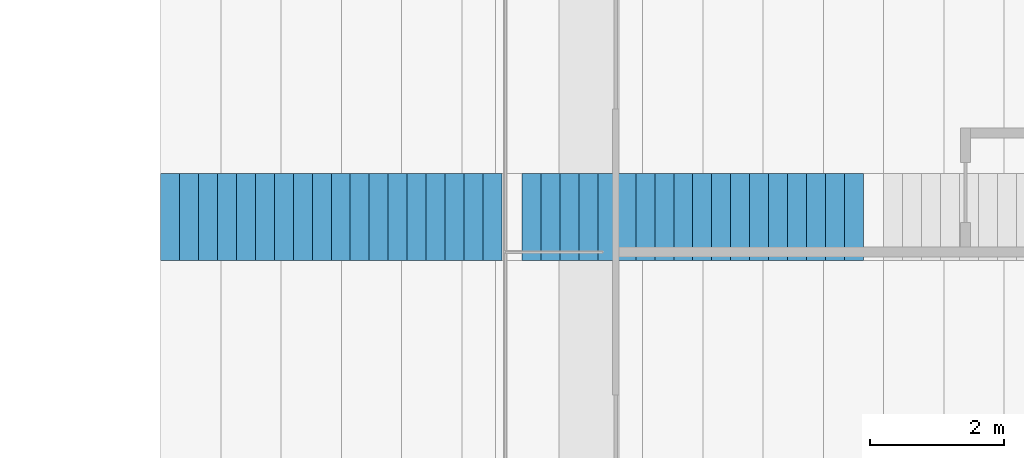
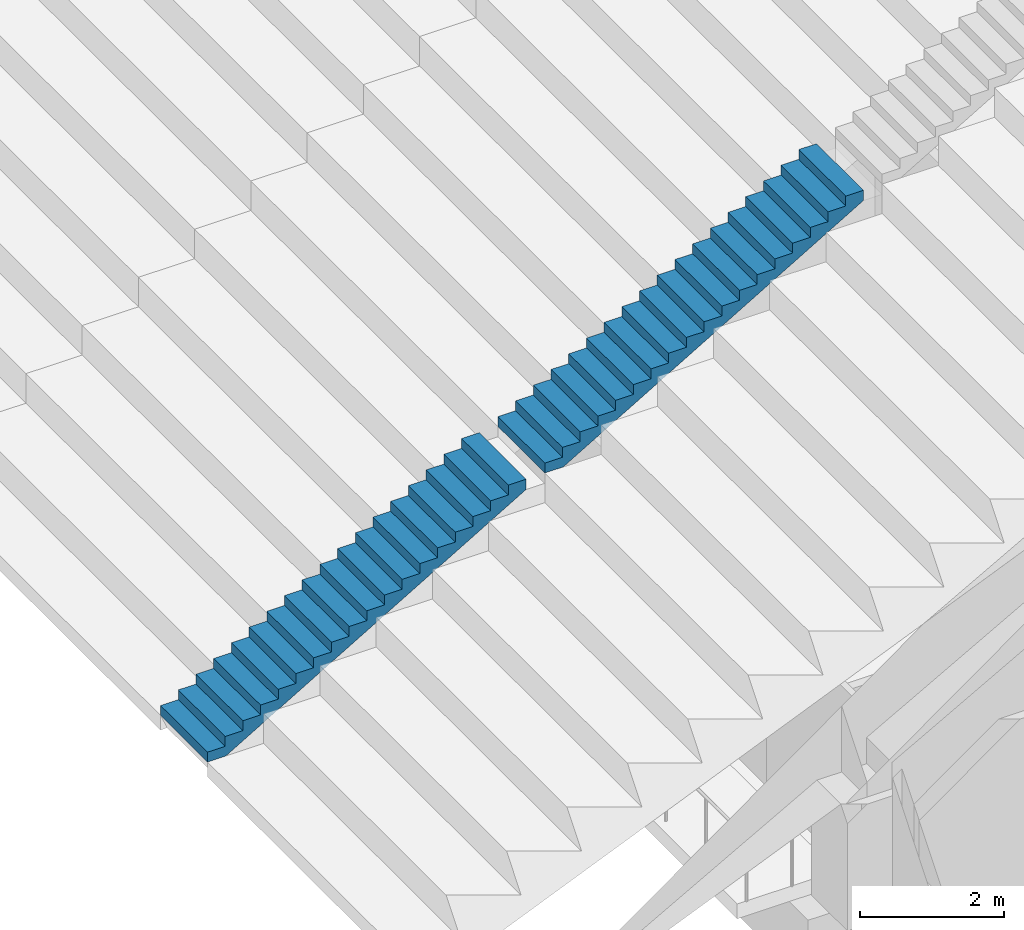
# One storey, part 184 of 249: 2 stair flights, 1 element without a shape of its own.
"""IFC4 building model written with IfcOpenShell, lengths in metres."""

from ifc_helpers import new_model, si_unit, direction, frame, origin, place, context, subcontext, project, spatial, faceted_brep, material, type_object, element, aggregate, save


model = new_model("IFC4")

# Units and contexts
model_context = context("Model", 3, precision=1e-05, world=origin(), true_north=direction((0.0, 1.0)))
body_context = subcontext(model_context, "Body", "Model", "MODEL_VIEW")
ifc_project = project(units=[si_unit("LENGTHUNIT", "METRE"), si_unit("AREAUNIT", "SQUARE_METRE"), si_unit("VOLUMEUNIT", "CUBIC_METRE"), si_unit("PLANEANGLEUNIT", "RADIAN"), si_unit("MASSUNIT", "GRAM", prefix="KILO")], contexts=[model_context])

# Site, building, storey
site_placement = place(None, origin())
site = spatial("IfcSite", under=ifc_project, at=site_placement, CompositionType="ELEMENT")
building_placement = place(site_placement, origin())
building = spatial("IfcBuilding", under=site, at=building_placement, Name="Ogive Plaza Stadium", CompositionType="ELEMENT")
storey_placement = place(building_placement, frame((0.0, 0.0, 13.5)))
storey = spatial("IfcBuildingStorey", under=building, at=storey_placement, Name="L03", CompositionType="ELEMENT", Elevation=13.5)

# Stair, stair flights
ifc_material_1 = material(Name="Concrete C40/50", Category="concrete")
stair_type = type_object("IfcStairType", Name="Aisle stair", PredefinedType="STRAIGHT_RUN_STAIR", material=ifc_material_1)
stair_placement = place(storey_placement, origin())
stair = element("IfcStair", 1, at=stair_placement, inside=storey, type_object=stair_type, Name="Aisle stair SA03U", PredefinedType="STRAIGHT_RUN_STAIR")
ifc_material_2 = material(Name="Concrete C40/50", Category="concrete")
stair_flight_type = type_object("IfcStairFlightType", Name="Aisle stair flight", PredefinedType="STRAIGHT", material=ifc_material_2)
stair_flight_1_placement = place(storey_placement, frame((55.5, 15.0, 0.5), z_axis=(0.0, 0.0, 1.0), x_axis=(1.0, 0.0, 0.0)))
stair_flight_1 = element("IfcStairFlight", 2, at=stair_flight_1_placement, type_object=stair_flight_type, Name="SA03U flight 1", NumberOfRisers=18, NumberOfTreads=17, PredefinedType="STRAIGHT", RiserHeight=0.166666667, TreadLength=0.283333333, context=body_context, shape_type="Brep", body=[
    faceted_brep([(0.295654296875, -0.64990234375, 0.0), (5.10009765625, -0.64990234375, 2.826171875), (5.10009765625, -0.64990234375, 3.0), (4.816650390625, -0.64990234375, 3.0), (4.816650390625, -0.64990234375, 2.833251953125), (4.533447265625, -0.64990234375, 2.833251953125), (4.533447265625, -0.64990234375, 2.666748046875), (4.25, -0.64990234375, 2.666748046875), (4.25, -0.64990234375, 2.5), (3.966552734375, -0.64990234375, 2.5), (3.966552734375, -0.64990234375, 2.333251953125), (3.683349609375, -0.64990234375, 2.333251953125), (3.683349609375, -0.64990234375, 2.166748046875), (3.39990234375, -0.64990234375, 2.166748046875), (3.39990234375, -0.64990234375, 2.0), (3.11669921875, -0.64990234375, 2.0), (3.11669921875, -0.64990234375, 1.833251953125), (2.833251953125, -0.64990234375, 1.833251953125), (2.833251953125, -0.64990234375, 1.666748046875), (2.550048828125, -0.64990234375, 1.666748046875), (2.550048828125, -0.64990234375, 1.5), (2.2666015625, -0.64990234375, 1.5), (2.2666015625, -0.64990234375, 1.333251953125), (1.9833984375, -0.64990234375, 1.333251953125), (1.9833984375, -0.64990234375, 1.166748046875), (1.699951171875, -0.64990234375, 1.166748046875), (1.699951171875, -0.64990234375, 1.0), (1.416748046875, -0.64990234375, 1.0), (1.416748046875, -0.64990234375, 0.833251953125), (1.13330078125, -0.64990234375, 0.833251953125), (1.13330078125, -0.64990234375, 0.666748046875), (0.85009765625, -0.64990234375, 0.666748046875), (0.85009765625, -0.64990234375, 0.5), (0.566650390625, -0.64990234375, 0.5), (0.566650390625, -0.64990234375, 0.333251953125), (0.283447265625, -0.64990234375, 0.333251953125), (0.283447265625, -0.64990234375, 0.166748046875), (0.0, -0.64990234375, 0.166748046875), (0.0, -0.64990234375, 0.0), (0.0, 0.64990234375, 0.0), (0.0, 0.64990234375, 0.166748046875), (0.283447265625, 0.64990234375, 0.166748046875), (0.283447265625, 0.64990234375, 0.333251953125), (0.566650390625, 0.64990234375, 0.333251953125), (0.566650390625, 0.64990234375, 0.5), (0.85009765625, 0.64990234375, 0.5), (0.85009765625, 0.64990234375, 0.666748046875), (1.13330078125, 0.64990234375, 0.666748046875), (1.13330078125, 0.64990234375, 0.833251953125), (1.416748046875, 0.64990234375, 0.833251953125), (1.416748046875, 0.64990234375, 1.0), (1.699951171875, 0.64990234375, 1.0), (1.699951171875, 0.64990234375, 1.166748046875), (1.9833984375, 0.64990234375, 1.166748046875), (1.9833984375, 0.64990234375, 1.333251953125), (2.2666015625, 0.64990234375, 1.333251953125), (2.2666015625, 0.64990234375, 1.5), (2.550048828125, 0.64990234375, 1.5), (2.550048828125, 0.64990234375, 1.666748046875), (2.833251953125, 0.64990234375, 1.666748046875), (2.833251953125, 0.64990234375, 1.833251953125), (3.11669921875, 0.64990234375, 1.833251953125), (3.11669921875, 0.64990234375, 2.0), (3.39990234375, 0.64990234375, 2.0), (3.39990234375, 0.64990234375, 2.166748046875), (3.683349609375, 0.64990234375, 2.166748046875), (3.683349609375, 0.64990234375, 2.333251953125), (3.966552734375, 0.64990234375, 2.333251953125), (3.966552734375, 0.64990234375, 2.5), (4.25, 0.64990234375, 2.5), (4.25, 0.64990234375, 2.666748046875), (4.533447265625, 0.64990234375, 2.666748046875), (4.533447265625, 0.64990234375, 2.833251953125), (4.816650390625, 0.64990234375, 2.833251953125), (4.816650390625, 0.64990234375, 3.0), (5.10009765625, 0.64990234375, 3.0), (5.10009765625, 0.64990234375, 2.826171875), (0.295654296875, 0.64990234375, 0.0), (0.295654296875, -0.324951171875, 0.0), (5.10009765625, -0.324951171875, 2.826171875), (0.295654296875, 0.0, 0.0), (5.10009765625, 0.0, 2.826171875), (0.295654296875, 0.324951171875, 0.0), (5.10009765625, 0.324951171875, 2.826171875), (5.10009765625, -0.324951171875, 3.0), (5.10009765625, 0.0, 3.0), (5.10009765625, 0.324951171875, 3.0), (4.816650390625, -0.324951171875, 3.0), (4.816650390625, 0.0, 3.0), (4.816650390625, 0.324951171875, 3.0), (4.816650390625, -0.324951171875, 2.833251953125), (4.816650390625, 0.0, 2.833251953125), (4.816650390625, 0.324951171875, 2.833251953125), (4.533447265625, -0.324951171875, 2.833251953125), (4.533447265625, 0.0, 2.833251953125), (4.533447265625, 0.324951171875, 2.833251953125), (4.533447265625, -0.324951171875, 2.666748046875), (4.533447265625, 0.0, 2.666748046875), (4.533447265625, 0.324951171875, 2.666748046875), (4.25, -0.324951171875, 2.666748046875), (4.25, 0.0, 2.666748046875), (4.25, 0.324951171875, 2.666748046875), (4.25, -0.324951171875, 2.5), (4.25, 0.0, 2.5), (4.25, 0.324951171875, 2.5), (3.966552734375, -0.324951171875, 2.5), (3.966552734375, 0.0, 2.5), (3.966552734375, 0.324951171875, 2.5), (3.966552734375, -0.324951171875, 2.333251953125), (3.966552734375, 0.0, 2.333251953125), (3.966552734375, 0.324951171875, 2.333251953125), (3.683349609375, -0.324951171875, 2.333251953125), (3.683349609375, 0.0, 2.333251953125), (3.683349609375, 0.324951171875, 2.333251953125), (3.683349609375, -0.324951171875, 2.166748046875), (3.683349609375, 0.0, 2.166748046875), (3.683349609375, 0.324951171875, 2.166748046875), (3.39990234375, -0.324951171875, 2.166748046875), (3.39990234375, 0.0, 2.166748046875), (3.39990234375, 0.324951171875, 2.166748046875), (3.39990234375, -0.324951171875, 2.0), (3.39990234375, 0.0, 2.0), (3.39990234375, 0.324951171875, 2.0), (3.11669921875, -0.324951171875, 2.0), (3.11669921875, 0.0, 2.0), (3.11669921875, 0.324951171875, 2.0), (3.11669921875, -0.324951171875, 1.833251953125), (3.11669921875, 0.0, 1.833251953125), (3.11669921875, 0.324951171875, 1.833251953125), (2.833251953125, -0.324951171875, 1.833251953125), (2.833251953125, 0.0, 1.833251953125), (2.833251953125, 0.324951171875, 1.833251953125), (2.833251953125, -0.324951171875, 1.666748046875), (2.833251953125, 0.0, 1.666748046875), (2.833251953125, 0.324951171875, 1.666748046875), (2.550048828125, -0.324951171875, 1.666748046875), (2.550048828125, 0.0, 1.666748046875), (2.550048828125, 0.324951171875, 1.666748046875), (2.550048828125, -0.324951171875, 1.5), (2.550048828125, 0.0, 1.5), (2.550048828125, 0.324951171875, 1.5), (2.2666015625, -0.324951171875, 1.5), (2.2666015625, 0.0, 1.5), (2.2666015625, 0.324951171875, 1.5), (2.2666015625, -0.324951171875, 1.333251953125), (2.2666015625, 0.0, 1.333251953125), (2.2666015625, 0.324951171875, 1.333251953125), (1.9833984375, -0.324951171875, 1.333251953125), (1.9833984375, 0.0, 1.333251953125), (1.9833984375, 0.324951171875, 1.333251953125), (1.9833984375, -0.324951171875, 1.166748046875), (1.9833984375, 0.0, 1.166748046875), (1.9833984375, 0.324951171875, 1.166748046875), (1.699951171875, -0.324951171875, 1.166748046875), (1.699951171875, 0.0, 1.166748046875), (1.699951171875, 0.324951171875, 1.166748046875), (1.699951171875, -0.324951171875, 1.0), (1.699951171875, 0.0, 1.0), (1.699951171875, 0.324951171875, 1.0), (1.416748046875, -0.324951171875, 1.0), (1.416748046875, 0.0, 1.0), (1.416748046875, 0.324951171875, 1.0), (1.416748046875, -0.324951171875, 0.833251953125), (1.416748046875, 0.0, 0.833251953125), (1.416748046875, 0.324951171875, 0.833251953125), (1.13330078125, -0.324951171875, 0.833251953125), (1.13330078125, 0.0, 0.833251953125), (1.13330078125, 0.324951171875, 0.833251953125), (1.13330078125, -0.324951171875, 0.666748046875), (1.13330078125, 0.0, 0.666748046875), (1.13330078125, 0.324951171875, 0.666748046875), (0.85009765625, -0.324951171875, 0.666748046875), (0.85009765625, 0.0, 0.666748046875), (0.85009765625, 0.324951171875, 0.666748046875), (0.85009765625, -0.324951171875, 0.5), (0.85009765625, 0.0, 0.5), (0.85009765625, 0.324951171875, 0.5), (0.566650390625, -0.324951171875, 0.5), (0.566650390625, 0.0, 0.5), (0.566650390625, 0.324951171875, 0.5), (0.566650390625, -0.324951171875, 0.333251953125), (0.566650390625, 0.0, 0.333251953125), (0.566650390625, 0.324951171875, 0.333251953125), (0.283447265625, -0.324951171875, 0.333251953125), (0.283447265625, 0.0, 0.333251953125), (0.283447265625, 0.324951171875, 0.333251953125), (0.283447265625, -0.324951171875, 0.166748046875), (0.283447265625, 0.0, 0.166748046875), (0.283447265625, 0.324951171875, 0.166748046875), (0.0, -0.324951171875, 0.166748046875), (0.0, 0.0, 0.166748046875), (0.0, 0.324951171875, 0.166748046875), (0.0, -0.324951171875, 0.0), (0.0, 0.0, 0.0), (0.0, 0.324951171875, 0.0)], [[[0, 1, 2, 3, 4, 5, 6, 7, 8, 9, 10, 11, 12, 13, 14, 15, 16, 17, 18, 19, 20, 21, 22, 23, 24, 25, 26, 27, 28, 29, 30, 31, 32, 33, 34, 35, 36, 37, 38]], [[39, 40, 41, 42, 43, 44, 45, 46, 47, 48, 49, 50, 51, 52, 53, 54, 55, 56, 57, 58, 59, 60, 61, 62, 63, 64, 65, 66, 67, 68, 69, 70, 71, 72, 73, 74, 75, 76, 77]], [[0, 78, 79, 1]], [[78, 80, 81, 79]], [[80, 82, 83, 81]], [[82, 77, 76, 83]], [[1, 79, 84, 2]], [[79, 81, 85, 84]], [[81, 83, 86, 85]], [[83, 76, 75, 86]], [[2, 84, 87, 3]], [[84, 85, 88, 87]], [[85, 86, 89, 88]], [[86, 75, 74, 89]], [[3, 87, 90, 4]], [[87, 88, 91, 90]], [[88, 89, 92, 91]], [[89, 74, 73, 92]], [[4, 90, 93, 5]], [[90, 91, 94, 93]], [[91, 92, 95, 94]], [[92, 73, 72, 95]], [[5, 93, 96, 6]], [[93, 94, 97, 96]], [[94, 95, 98, 97]], [[95, 72, 71, 98]], [[6, 96, 99, 7]], [[96, 97, 100, 99]], [[97, 98, 101, 100]], [[98, 71, 70, 101]], [[7, 99, 102, 8]], [[99, 100, 103, 102]], [[100, 101, 104, 103]], [[101, 70, 69, 104]], [[8, 102, 105, 9]], [[102, 103, 106, 105]], [[103, 104, 107, 106]], [[104, 69, 68, 107]], [[9, 105, 108, 10]], [[105, 106, 109, 108]], [[106, 107, 110, 109]], [[107, 68, 67, 110]], [[10, 108, 111, 11]], [[108, 109, 112, 111]], [[109, 110, 113, 112]], [[110, 67, 66, 113]], [[11, 111, 114, 12]], [[111, 112, 115, 114]], [[112, 113, 116, 115]], [[113, 66, 65, 116]], [[12, 114, 117, 13]], [[114, 115, 118, 117]], [[115, 116, 119, 118]], [[116, 65, 64, 119]], [[13, 117, 120, 14]], [[117, 118, 121, 120]], [[118, 119, 122, 121]], [[119, 64, 63, 122]], [[14, 120, 123, 15]], [[120, 121, 124, 123]], [[121, 122, 125, 124]], [[122, 63, 62, 125]], [[15, 123, 126, 16]], [[123, 124, 127, 126]], [[124, 125, 128, 127]], [[125, 62, 61, 128]], [[16, 126, 129, 17]], [[126, 127, 130, 129]], [[127, 128, 131, 130]], [[128, 61, 60, 131]], [[17, 129, 132, 18]], [[129, 130, 133, 132]], [[130, 131, 134, 133]], [[131, 60, 59, 134]], [[18, 132, 135, 19]], [[132, 133, 136, 135]], [[133, 134, 137, 136]], [[134, 59, 58, 137]], [[19, 135, 138, 20]], [[135, 136, 139, 138]], [[136, 137, 140, 139]], [[137, 58, 57, 140]], [[20, 138, 141, 21]], [[138, 139, 142, 141]], [[139, 140, 143, 142]], [[140, 57, 56, 143]], [[21, 141, 144, 22]], [[141, 142, 145, 144]], [[142, 143, 146, 145]], [[143, 56, 55, 146]], [[22, 144, 147, 23]], [[144, 145, 148, 147]], [[145, 146, 149, 148]], [[146, 55, 54, 149]], [[23, 147, 150, 24]], [[147, 148, 151, 150]], [[148, 149, 152, 151]], [[149, 54, 53, 152]], [[24, 150, 153, 25]], [[150, 151, 154, 153]], [[151, 152, 155, 154]], [[152, 53, 52, 155]], [[25, 153, 156, 26]], [[153, 154, 157, 156]], [[154, 155, 158, 157]], [[155, 52, 51, 158]], [[26, 156, 159, 27]], [[156, 157, 160, 159]], [[157, 158, 161, 160]], [[158, 51, 50, 161]], [[27, 159, 162, 28]], [[159, 160, 163, 162]], [[160, 161, 164, 163]], [[161, 50, 49, 164]], [[28, 162, 165, 29]], [[162, 163, 166, 165]], [[163, 164, 167, 166]], [[164, 49, 48, 167]], [[29, 165, 168, 30]], [[165, 166, 169, 168]], [[166, 167, 170, 169]], [[167, 48, 47, 170]], [[30, 168, 171, 31]], [[168, 169, 172, 171]], [[169, 170, 173, 172]], [[170, 47, 46, 173]], [[31, 171, 174, 32]], [[171, 172, 175, 174]], [[172, 173, 176, 175]], [[173, 46, 45, 176]], [[32, 174, 177, 33]], [[174, 175, 178, 177]], [[175, 176, 179, 178]], [[176, 45, 44, 179]], [[33, 177, 180, 34]], [[177, 178, 181, 180]], [[178, 179, 182, 181]], [[179, 44, 43, 182]], [[34, 180, 183, 35]], [[180, 181, 184, 183]], [[181, 182, 185, 184]], [[182, 43, 42, 185]], [[35, 183, 186, 36]], [[183, 184, 187, 186]], [[184, 185, 188, 187]], [[185, 42, 41, 188]], [[36, 186, 189, 37]], [[186, 187, 190, 189]], [[187, 188, 191, 190]], [[188, 41, 40, 191]], [[37, 189, 192, 38]], [[189, 190, 193, 192]], [[190, 191, 194, 193]], [[191, 40, 39, 194]], [[38, 192, 78, 0]], [[192, 193, 80, 78]], [[193, 194, 82, 80]], [[194, 39, 77, 82]]]),
])
stair_flight_2_placement = place(storey_placement, frame((60.89990234375, 15.0, 3.5), z_axis=(0.0, 0.0, 1.0), x_axis=(1.0, 0.0, 0.0)))
stair_flight_2 = element("IfcStairFlight", 3, at=stair_flight_2_placement, type_object=stair_flight_type, Name="SA03U flight 2", NumberOfRisers=18, NumberOfTreads=17, PredefinedType="STRAIGHT", RiserHeight=0.166666667, TreadLength=0.283333333, context=body_context, shape_type="Brep", body=[
    faceted_brep([(0.295654296875, -0.64990234375, 0.0), (5.10009765625, -0.64990234375, 2.826171875), (5.10009765625, -0.64990234375, 3.0), (4.816650390625, -0.64990234375, 3.0), (4.816650390625, -0.64990234375, 2.833251953125), (4.533447265625, -0.64990234375, 2.833251953125), (4.533447265625, -0.64990234375, 2.666748046875), (4.25, -0.64990234375, 2.666748046875), (4.25, -0.64990234375, 2.5), (3.966552734375, -0.64990234375, 2.5), (3.966552734375, -0.64990234375, 2.333251953125), (3.683349609375, -0.64990234375, 2.333251953125), (3.683349609375, -0.64990234375, 2.166748046875), (3.39990234375, -0.64990234375, 2.166748046875), (3.39990234375, -0.64990234375, 2.0), (3.11669921875, -0.64990234375, 2.0), (3.11669921875, -0.64990234375, 1.833251953125), (2.833251953125, -0.64990234375, 1.833251953125), (2.833251953125, -0.64990234375, 1.666748046875), (2.550048828125, -0.64990234375, 1.666748046875), (2.550048828125, -0.64990234375, 1.5), (2.2666015625, -0.64990234375, 1.5), (2.2666015625, -0.64990234375, 1.333251953125), (1.9833984375, -0.64990234375, 1.333251953125), (1.9833984375, -0.64990234375, 1.166748046875), (1.699951171875, -0.64990234375, 1.166748046875), (1.699951171875, -0.64990234375, 1.0), (1.416748046875, -0.64990234375, 1.0), (1.416748046875, -0.64990234375, 0.833251953125), (1.13330078125, -0.64990234375, 0.833251953125), (1.13330078125, -0.64990234375, 0.666748046875), (0.85009765625, -0.64990234375, 0.666748046875), (0.85009765625, -0.64990234375, 0.5), (0.566650390625, -0.64990234375, 0.5), (0.566650390625, -0.64990234375, 0.333251953125), (0.283447265625, -0.64990234375, 0.333251953125), (0.283447265625, -0.64990234375, 0.166748046875), (0.0, -0.64990234375, 0.166748046875), (0.0, -0.64990234375, 0.0), (0.0, 0.64990234375, 0.0), (0.0, 0.64990234375, 0.166748046875), (0.283447265625, 0.64990234375, 0.166748046875), (0.283447265625, 0.64990234375, 0.333251953125), (0.566650390625, 0.64990234375, 0.333251953125), (0.566650390625, 0.64990234375, 0.5), (0.85009765625, 0.64990234375, 0.5), (0.85009765625, 0.64990234375, 0.666748046875), (1.13330078125, 0.64990234375, 0.666748046875), (1.13330078125, 0.64990234375, 0.833251953125), (1.416748046875, 0.64990234375, 0.833251953125), (1.416748046875, 0.64990234375, 1.0), (1.699951171875, 0.64990234375, 1.0), (1.699951171875, 0.64990234375, 1.166748046875), (1.9833984375, 0.64990234375, 1.166748046875), (1.9833984375, 0.64990234375, 1.333251953125), (2.2666015625, 0.64990234375, 1.333251953125), (2.2666015625, 0.64990234375, 1.5), (2.550048828125, 0.64990234375, 1.5), (2.550048828125, 0.64990234375, 1.666748046875), (2.833251953125, 0.64990234375, 1.666748046875), (2.833251953125, 0.64990234375, 1.833251953125), (3.11669921875, 0.64990234375, 1.833251953125), (3.11669921875, 0.64990234375, 2.0), (3.39990234375, 0.64990234375, 2.0), (3.39990234375, 0.64990234375, 2.166748046875), (3.683349609375, 0.64990234375, 2.166748046875), (3.683349609375, 0.64990234375, 2.333251953125), (3.966552734375, 0.64990234375, 2.333251953125), (3.966552734375, 0.64990234375, 2.5), (4.25, 0.64990234375, 2.5), (4.25, 0.64990234375, 2.666748046875), (4.533447265625, 0.64990234375, 2.666748046875), (4.533447265625, 0.64990234375, 2.833251953125), (4.816650390625, 0.64990234375, 2.833251953125), (4.816650390625, 0.64990234375, 3.0), (5.10009765625, 0.64990234375, 3.0), (5.10009765625, 0.64990234375, 2.826171875), (0.295654296875, 0.64990234375, 0.0), (0.295654296875, -0.324951171875, 0.0), (5.10009765625, -0.324951171875, 2.826171875), (0.295654296875, 0.0, 0.0), (5.10009765625, 0.0, 2.826171875), (0.295654296875, 0.324951171875, 0.0), (5.10009765625, 0.324951171875, 2.826171875), (5.10009765625, -0.324951171875, 3.0), (5.10009765625, 0.0, 3.0), (5.10009765625, 0.324951171875, 3.0), (4.816650390625, -0.324951171875, 3.0), (4.816650390625, 0.0, 3.0), (4.816650390625, 0.324951171875, 3.0), (4.816650390625, -0.324951171875, 2.833251953125), (4.816650390625, 0.0, 2.833251953125), (4.816650390625, 0.324951171875, 2.833251953125), (4.533447265625, -0.324951171875, 2.833251953125), (4.533447265625, 0.0, 2.833251953125), (4.533447265625, 0.324951171875, 2.833251953125), (4.533447265625, -0.324951171875, 2.666748046875), (4.533447265625, 0.0, 2.666748046875), (4.533447265625, 0.324951171875, 2.666748046875), (4.25, -0.324951171875, 2.666748046875), (4.25, 0.0, 2.666748046875), (4.25, 0.324951171875, 2.666748046875), (4.25, -0.324951171875, 2.5), (4.25, 0.0, 2.5), (4.25, 0.324951171875, 2.5), (3.966552734375, -0.324951171875, 2.5), (3.966552734375, 0.0, 2.5), (3.966552734375, 0.324951171875, 2.5), (3.966552734375, -0.324951171875, 2.333251953125), (3.966552734375, 0.0, 2.333251953125), (3.966552734375, 0.324951171875, 2.333251953125), (3.683349609375, -0.324951171875, 2.333251953125), (3.683349609375, 0.0, 2.333251953125), (3.683349609375, 0.324951171875, 2.333251953125), (3.683349609375, -0.324951171875, 2.166748046875), (3.683349609375, 0.0, 2.166748046875), (3.683349609375, 0.324951171875, 2.166748046875), (3.39990234375, -0.324951171875, 2.166748046875), (3.39990234375, 0.0, 2.166748046875), (3.39990234375, 0.324951171875, 2.166748046875), (3.39990234375, -0.324951171875, 2.0), (3.39990234375, 0.0, 2.0), (3.39990234375, 0.324951171875, 2.0), (3.11669921875, -0.324951171875, 2.0), (3.11669921875, 0.0, 2.0), (3.11669921875, 0.324951171875, 2.0), (3.11669921875, -0.324951171875, 1.833251953125), (3.11669921875, 0.0, 1.833251953125), (3.11669921875, 0.324951171875, 1.833251953125), (2.833251953125, -0.324951171875, 1.833251953125), (2.833251953125, 0.0, 1.833251953125), (2.833251953125, 0.324951171875, 1.833251953125), (2.833251953125, -0.324951171875, 1.666748046875), (2.833251953125, 0.0, 1.666748046875), (2.833251953125, 0.324951171875, 1.666748046875), (2.550048828125, -0.324951171875, 1.666748046875), (2.550048828125, 0.0, 1.666748046875), (2.550048828125, 0.324951171875, 1.666748046875), (2.550048828125, -0.324951171875, 1.5), (2.550048828125, 0.0, 1.5), (2.550048828125, 0.324951171875, 1.5), (2.2666015625, -0.324951171875, 1.5), (2.2666015625, 0.0, 1.5), (2.2666015625, 0.324951171875, 1.5), (2.2666015625, -0.324951171875, 1.333251953125), (2.2666015625, 0.0, 1.333251953125), (2.2666015625, 0.324951171875, 1.333251953125), (1.9833984375, -0.324951171875, 1.333251953125), (1.9833984375, 0.0, 1.333251953125), (1.9833984375, 0.324951171875, 1.333251953125), (1.9833984375, -0.324951171875, 1.166748046875), (1.9833984375, 0.0, 1.166748046875), (1.9833984375, 0.324951171875, 1.166748046875), (1.699951171875, -0.324951171875, 1.166748046875), (1.699951171875, 0.0, 1.166748046875), (1.699951171875, 0.324951171875, 1.166748046875), (1.699951171875, -0.324951171875, 1.0), (1.699951171875, 0.0, 1.0), (1.699951171875, 0.324951171875, 1.0), (1.416748046875, -0.324951171875, 1.0), (1.416748046875, 0.0, 1.0), (1.416748046875, 0.324951171875, 1.0), (1.416748046875, -0.324951171875, 0.833251953125), (1.416748046875, 0.0, 0.833251953125), (1.416748046875, 0.324951171875, 0.833251953125), (1.13330078125, -0.324951171875, 0.833251953125), (1.13330078125, 0.0, 0.833251953125), (1.13330078125, 0.324951171875, 0.833251953125), (1.13330078125, -0.324951171875, 0.666748046875), (1.13330078125, 0.0, 0.666748046875), (1.13330078125, 0.324951171875, 0.666748046875), (0.85009765625, -0.324951171875, 0.666748046875), (0.85009765625, 0.0, 0.666748046875), (0.85009765625, 0.324951171875, 0.666748046875), (0.85009765625, -0.324951171875, 0.5), (0.85009765625, 0.0, 0.5), (0.85009765625, 0.324951171875, 0.5), (0.566650390625, -0.324951171875, 0.5), (0.566650390625, 0.0, 0.5), (0.566650390625, 0.324951171875, 0.5), (0.566650390625, -0.324951171875, 0.333251953125), (0.566650390625, 0.0, 0.333251953125), (0.566650390625, 0.324951171875, 0.333251953125), (0.283447265625, -0.324951171875, 0.333251953125), (0.283447265625, 0.0, 0.333251953125), (0.283447265625, 0.324951171875, 0.333251953125), (0.283447265625, -0.324951171875, 0.166748046875), (0.283447265625, 0.0, 0.166748046875), (0.283447265625, 0.324951171875, 0.166748046875), (0.0, -0.324951171875, 0.166748046875), (0.0, 0.0, 0.166748046875), (0.0, 0.324951171875, 0.166748046875), (0.0, -0.324951171875, 0.0), (0.0, 0.0, 0.0), (0.0, 0.324951171875, 0.0)], [[[0, 1, 2, 3, 4, 5, 6, 7, 8, 9, 10, 11, 12, 13, 14, 15, 16, 17, 18, 19, 20, 21, 22, 23, 24, 25, 26, 27, 28, 29, 30, 31, 32, 33, 34, 35, 36, 37, 38]], [[39, 40, 41, 42, 43, 44, 45, 46, 47, 48, 49, 50, 51, 52, 53, 54, 55, 56, 57, 58, 59, 60, 61, 62, 63, 64, 65, 66, 67, 68, 69, 70, 71, 72, 73, 74, 75, 76, 77]], [[0, 78, 79, 1]], [[78, 80, 81, 79]], [[80, 82, 83, 81]], [[82, 77, 76, 83]], [[1, 79, 84, 2]], [[79, 81, 85, 84]], [[81, 83, 86, 85]], [[83, 76, 75, 86]], [[2, 84, 87, 3]], [[84, 85, 88, 87]], [[85, 86, 89, 88]], [[86, 75, 74, 89]], [[3, 87, 90, 4]], [[87, 88, 91, 90]], [[88, 89, 92, 91]], [[89, 74, 73, 92]], [[4, 90, 93, 5]], [[90, 91, 94, 93]], [[91, 92, 95, 94]], [[92, 73, 72, 95]], [[5, 93, 96, 6]], [[93, 94, 97, 96]], [[94, 95, 98, 97]], [[95, 72, 71, 98]], [[6, 96, 99, 7]], [[96, 97, 100, 99]], [[97, 98, 101, 100]], [[98, 71, 70, 101]], [[7, 99, 102, 8]], [[99, 100, 103, 102]], [[100, 101, 104, 103]], [[101, 70, 69, 104]], [[8, 102, 105, 9]], [[102, 103, 106, 105]], [[103, 104, 107, 106]], [[104, 69, 68, 107]], [[9, 105, 108, 10]], [[105, 106, 109, 108]], [[106, 107, 110, 109]], [[107, 68, 67, 110]], [[10, 108, 111, 11]], [[108, 109, 112, 111]], [[109, 110, 113, 112]], [[110, 67, 66, 113]], [[11, 111, 114, 12]], [[111, 112, 115, 114]], [[112, 113, 116, 115]], [[113, 66, 65, 116]], [[12, 114, 117, 13]], [[114, 115, 118, 117]], [[115, 116, 119, 118]], [[116, 65, 64, 119]], [[13, 117, 120, 14]], [[117, 118, 121, 120]], [[118, 119, 122, 121]], [[119, 64, 63, 122]], [[14, 120, 123, 15]], [[120, 121, 124, 123]], [[121, 122, 125, 124]], [[122, 63, 62, 125]], [[15, 123, 126, 16]], [[123, 124, 127, 126]], [[124, 125, 128, 127]], [[125, 62, 61, 128]], [[16, 126, 129, 17]], [[126, 127, 130, 129]], [[127, 128, 131, 130]], [[128, 61, 60, 131]], [[17, 129, 132, 18]], [[129, 130, 133, 132]], [[130, 131, 134, 133]], [[131, 60, 59, 134]], [[18, 132, 135, 19]], [[132, 133, 136, 135]], [[133, 134, 137, 136]], [[134, 59, 58, 137]], [[19, 135, 138, 20]], [[135, 136, 139, 138]], [[136, 137, 140, 139]], [[137, 58, 57, 140]], [[20, 138, 141, 21]], [[138, 139, 142, 141]], [[139, 140, 143, 142]], [[140, 57, 56, 143]], [[21, 141, 144, 22]], [[141, 142, 145, 144]], [[142, 143, 146, 145]], [[143, 56, 55, 146]], [[22, 144, 147, 23]], [[144, 145, 148, 147]], [[145, 146, 149, 148]], [[146, 55, 54, 149]], [[23, 147, 150, 24]], [[147, 148, 151, 150]], [[148, 149, 152, 151]], [[149, 54, 53, 152]], [[24, 150, 153, 25]], [[150, 151, 154, 153]], [[151, 152, 155, 154]], [[152, 53, 52, 155]], [[25, 153, 156, 26]], [[153, 154, 157, 156]], [[154, 155, 158, 157]], [[155, 52, 51, 158]], [[26, 156, 159, 27]], [[156, 157, 160, 159]], [[157, 158, 161, 160]], [[158, 51, 50, 161]], [[27, 159, 162, 28]], [[159, 160, 163, 162]], [[160, 161, 164, 163]], [[161, 50, 49, 164]], [[28, 162, 165, 29]], [[162, 163, 166, 165]], [[163, 164, 167, 166]], [[164, 49, 48, 167]], [[29, 165, 168, 30]], [[165, 166, 169, 168]], [[166, 167, 170, 169]], [[167, 48, 47, 170]], [[30, 168, 171, 31]], [[168, 169, 172, 171]], [[169, 170, 173, 172]], [[170, 47, 46, 173]], [[31, 171, 174, 32]], [[171, 172, 175, 174]], [[172, 173, 176, 175]], [[173, 46, 45, 176]], [[32, 174, 177, 33]], [[174, 175, 178, 177]], [[175, 176, 179, 178]], [[176, 45, 44, 179]], [[33, 177, 180, 34]], [[177, 178, 181, 180]], [[178, 179, 182, 181]], [[179, 44, 43, 182]], [[34, 180, 183, 35]], [[180, 181, 184, 183]], [[181, 182, 185, 184]], [[182, 43, 42, 185]], [[35, 183, 186, 36]], [[183, 184, 187, 186]], [[184, 185, 188, 187]], [[185, 42, 41, 188]], [[36, 186, 189, 37]], [[186, 187, 190, 189]], [[187, 188, 191, 190]], [[188, 41, 40, 191]], [[37, 189, 192, 38]], [[189, 190, 193, 192]], [[190, 191, 194, 193]], [[191, 40, 39, 194]], [[38, 192, 78, 0]], [[192, 193, 80, 78]], [[193, 194, 82, 80]], [[194, 39, 77, 82]]]),
])
aggregate(stair, [stair_flight_1, stair_flight_2])

save(model, "model.ifc")
